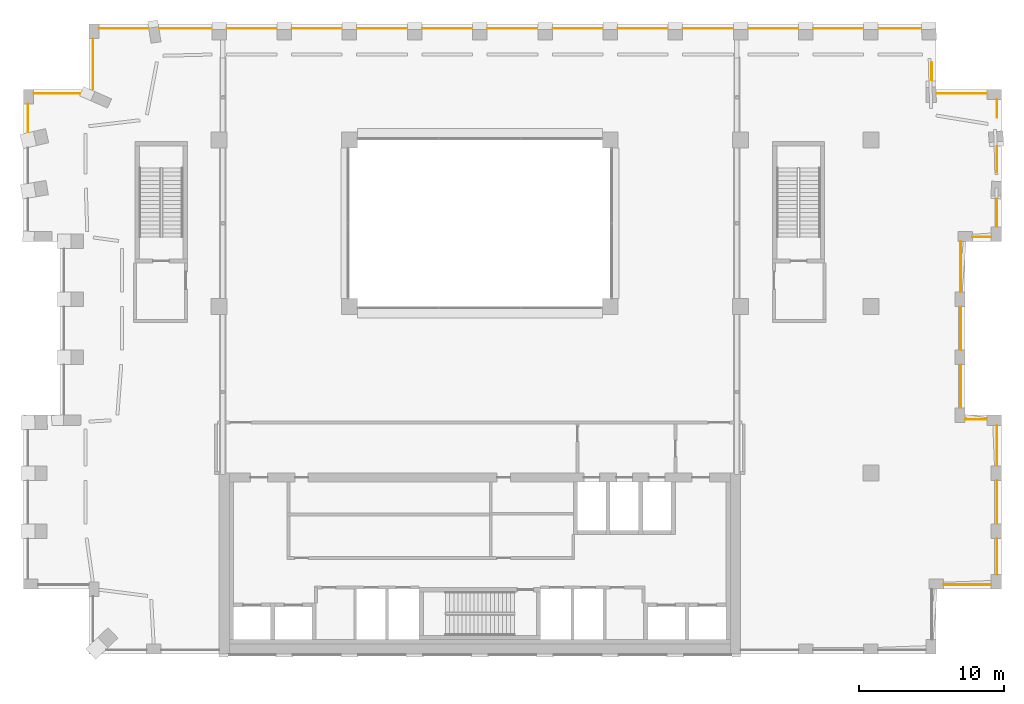
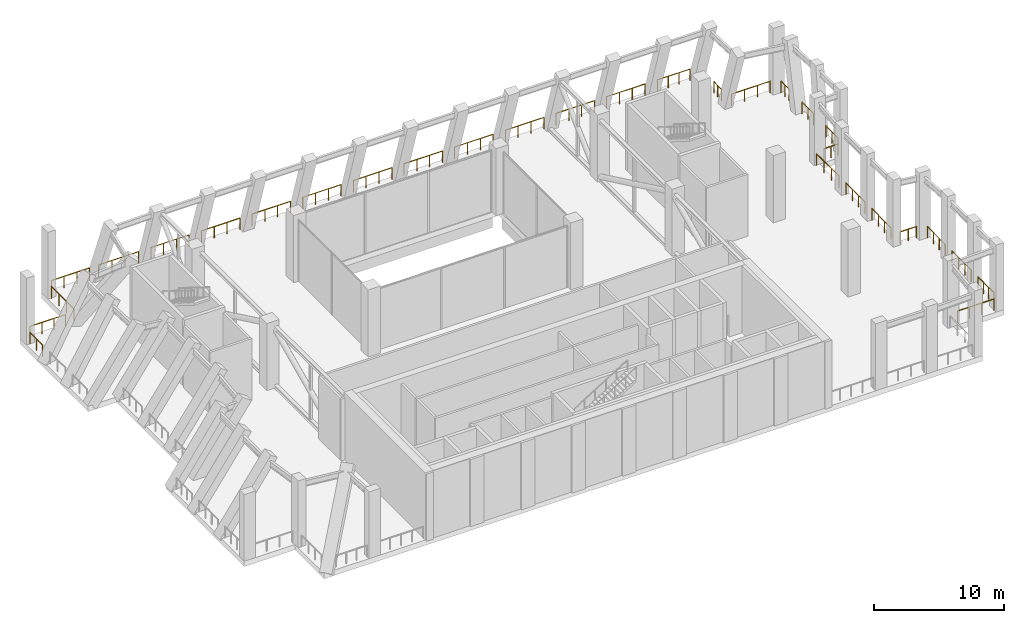
# One storey, part 14 of 14: 30 railings.
"""IFC4 building model written with IfcOpenShell, lengths in metres."""

from ifc_helpers import new_model, si_unit, direction, frame, origin, origin_2d, place, context, subcontext, project, spatial, circle, extrude, material, type_object, element, save


model = new_model("IFC4")

# Units and contexts
model_context = context("Model", 3, precision=1e-05, world=origin(), true_north=direction((0.0, 1.0)))
body_context = subcontext(model_context, "Body", "Model", "MODEL_VIEW")
ifc_project = project(units=[si_unit("LENGTHUNIT", "METRE"), si_unit("AREAUNIT", "SQUARE_METRE"), si_unit("VOLUMEUNIT", "CUBIC_METRE"), si_unit("PLANEANGLEUNIT", "RADIAN"), si_unit("MASSUNIT", "GRAM", prefix="KILO")], contexts=[model_context])

# Site, building, storey
site_placement = place(None, origin())
site = spatial("IfcSite", under=ifc_project, at=site_placement, CompositionType="ELEMENT")
building_placement = place(site_placement, origin())
building = spatial("IfcBuilding", under=site, at=building_placement, Name="Brigalow Station Residences", CompositionType="ELEMENT")
storey_placement = place(building_placement, frame((0.0, 0.0, 185.39990234375)))
storey = spatial("IfcBuildingStorey", under=building, at=storey_placement, Name="L54", CompositionType="ELEMENT", Elevation=185.39990234375)

# Railings
ifc_material = material(Name="Stainless steel balustrade with laminated glass infill", Category="steel")
railing_type = type_object("IfcRailingType", Name="BALCONY GUARD 1100", PredefinedType="GUARDRAIL", material=ifc_material)
railing_1_placement = place(storey_placement, frame((68.02294921875, 4.800048828125, 0.0)))
element("IfcRailing", 1, at=railing_1_placement, inside=storey, type_object=railing_type, Name="L54/edge-guard/W-L54-8-7", PredefinedType="GUARDRAIL", context=body_context, shape_type="SweptSolid", body=[
    extrude(circle(Radius=0.02392578125, at=origin_2d()), frame((0.0, 0.0, 1.076171875), z_axis=(1.0, 0.0, 0.0), x_axis=(0.0, 1.0, 0.0)), (0.0, 0.0, 1.0), 3.254150390625),
    extrude(circle(Radius=0.02099609375, at=origin_2d()), origin(), (0.0, 0.0, 1.0), 1.052001953125),
    extrude(circle(Radius=0.02099609375, at=origin_2d()), frame((1.084716796875, 0.0, 0.0)), (0.0, 0.0, 1.0), 1.052001953125),
    extrude(circle(Radius=0.02099609375, at=origin_2d()), frame((2.16943359375, 0.0, 0.0)), (0.0, 0.0, 1.0), 1.052001953125),
    extrude(circle(Radius=0.02099609375, at=origin_2d()), frame((3.254150390625, 0.0, 0.0)), (0.0, 0.0, 1.0), 1.052001953125),
])
railing_2_placement = place(storey_placement, frame((71.699951171875, 5.52294921875, 0.0)))
element("IfcRailing", 2, at=railing_2_placement, inside=storey, type_object=railing_type, Name="L54/edge-guard/W-L54-9-8", PredefinedType="GUARDRAIL", context=body_context, shape_type="SweptSolid", body=[
    extrude(circle(Radius=0.02392578125, at=origin_2d()), frame((0.0, 0.0, 1.076171875), z_axis=(0.0, 1.0, 0.0), x_axis=(-1.0, 0.0, 0.0)), (0.0, 0.0, 1.0), 2.4541015625),
    extrude(circle(Radius=0.02099609375, at=origin_2d()), origin(), (0.0, 0.0, 1.0), 1.052001953125),
    extrude(circle(Radius=0.02099609375, at=origin_2d()), frame((0.0, 0.818115234375, 0.0)), (0.0, 0.0, 1.0), 1.052001953125),
    extrude(circle(Radius=0.02099609375, at=origin_2d()), frame((0.0, 1.635986328125, 0.0)), (0.0, 0.0, 1.0), 1.052001953125),
    extrude(circle(Radius=0.02099609375, at=origin_2d()), frame((0.0, 2.4541015625, 0.0)), (0.0, 0.0, 1.0), 1.052001953125),
])
railing_3_placement = place(storey_placement, frame((71.699951171875, 9.02294921875, 0.0)))
element("IfcRailing", 3, at=railing_3_placement, inside=storey, type_object=railing_type, Name="L54/edge-guard/W-L54-9-9", PredefinedType="GUARDRAIL", context=body_context, shape_type="SweptSolid", body=[
    extrude(circle(Radius=0.02392578125, at=origin_2d()), frame((0.0, 0.0, 1.076171875), z_axis=(0.0, 1.0, 0.0), x_axis=(-1.0, 0.0, 0.0)), (0.0, 0.0, 1.0), 2.9541015625),
    extrude(circle(Radius=0.02099609375, at=origin_2d()), origin(), (0.0, 0.0, 1.0), 1.052001953125),
    extrude(circle(Radius=0.02099609375, at=origin_2d()), frame((0.0, 0.984619140625, 0.0)), (0.0, 0.0, 1.0), 1.052001953125),
    extrude(circle(Radius=0.02099609375, at=origin_2d()), frame((0.0, 1.969482421875, 0.0)), (0.0, 0.0, 1.0), 1.052001953125),
    extrude(circle(Radius=0.02099609375, at=origin_2d()), frame((0.0, 2.9541015625, 0.0)), (0.0, 0.0, 1.0), 1.052001953125),
])
railing_4_placement = place(storey_placement, frame((71.699951171875, 13.02294921875, 0.0)))
element("IfcRailing", 4, at=railing_4_placement, inside=storey, type_object=railing_type, Name="L54/edge-guard/W-L54-9-10", PredefinedType="GUARDRAIL", context=body_context, shape_type="SweptSolid", body=[
    extrude(circle(Radius=0.02392578125, at=origin_2d()), frame((0.0, 0.0, 1.076171875), z_axis=(0.0, 1.0, 0.0), x_axis=(-1.0, 0.0, 0.0)), (0.0, 0.0, 1.0), 2.754150390625),
    extrude(circle(Radius=0.02099609375, at=origin_2d()), origin(), (0.0, 0.0, 1.0), 1.052001953125),
    extrude(circle(Radius=0.02099609375, at=origin_2d()), frame((0.0, 0.91796875, 0.0)), (0.0, 0.0, 1.0), 1.052001953125),
    extrude(circle(Radius=0.02099609375, at=origin_2d()), frame((0.0, 1.836181640625, 0.0)), (0.0, 0.0, 1.0), 1.052001953125),
    extrude(circle(Radius=0.02099609375, at=origin_2d()), frame((0.0, 2.754150390625, 0.0)), (0.0, 0.0, 1.0), 1.052001953125),
])
railing_5_placement = place(storey_placement, frame((70.97705078125, 16.199951171875, 0.0)))
element("IfcRailing", 5, at=railing_5_placement, inside=storey, type_object=railing_type, Name="L54/edge-guard/W-L54-12-11", PredefinedType="GUARDRAIL", context=body_context, shape_type="SweptSolid", body=[
    extrude(circle(Radius=0.02392578125, at=origin_2d()), frame((0.0, 0.0, 1.076171875), z_axis=(-1.0, 0.0, 0.0), x_axis=(0.0, -1.0, 0.0)), (0.0, 0.0, 1.0), 1.4541015625),
    extrude(circle(Radius=0.02099609375, at=origin_2d()), origin(), (0.0, 0.0, 1.0), 1.052001953125),
    extrude(circle(Radius=0.02099609375, at=origin_2d()), frame((-0.72705078125, 0.0, 0.0)), (0.0, 0.0, 1.0), 1.052001953125),
    extrude(circle(Radius=0.02099609375, at=origin_2d()), frame((-1.4541015625, 0.0, 0.0)), (0.0, 0.0, 1.0), 1.052001953125),
])
for number, where, name in (
    (6, (69.199951171875, 17.02294921875, 0.0), "L54/edge-guard/W-L54-13-12"),
    (7, (69.199951171875, 21.02294921875, 0.0), "L54/edge-guard/W-L54-13-13"),
):
    element("IfcRailing", number, at=place(storey_placement, frame(where)), inside=storey, type_object=railing_type, Name=name, PredefinedType="GUARDRAIL", context=body_context, shape_type="SweptSolid", body=[
        extrude(circle(Radius=0.02392578125, at=origin_2d()), frame((0.0, 0.0, 1.076171875), z_axis=(0.0, 1.0, 0.0), x_axis=(-1.0, 0.0, 0.0)), (0.0, 0.0, 1.0), 2.9541015625),
        extrude(circle(Radius=0.02099609375, at=origin_2d()), origin(), (0.0, 0.0, 1.0), 1.052001953125),
        extrude(circle(Radius=0.02099609375, at=origin_2d()), frame((0.0, 0.984619140625, 0.0)), (0.0, 0.0, 1.0), 1.052001953125),
        extrude(circle(Radius=0.02099609375, at=origin_2d()), frame((0.0, 1.969482421875, 0.0)), (0.0, 0.0, 1.0), 1.052001953125),
        extrude(circle(Radius=0.02099609375, at=origin_2d()), frame((0.0, 2.9541015625, 0.0)), (0.0, 0.0, 1.0), 1.052001953125),
    ])
railing_6_placement = place(storey_placement, frame((69.199951171875, 25.02294921875, 0.0)))
element("IfcRailing", 8, at=railing_6_placement, inside=storey, type_object=railing_type, Name="L54/edge-guard/W-L54-13-14", PredefinedType="GUARDRAIL", context=body_context, shape_type="SweptSolid", body=[
    extrude(circle(Radius=0.02392578125, at=origin_2d()), frame((0.0, 0.0, 1.076171875), z_axis=(0.0, 1.0, 0.0), x_axis=(-1.0, 0.0, 0.0)), (0.0, 0.0, 1.0), 3.4541015625),
    extrude(circle(Radius=0.02099609375, at=origin_2d()), origin(), (0.0, 0.0, 1.0), 1.052001953125),
    extrude(circle(Radius=0.02099609375, at=origin_2d()), frame((0.0, 1.1513671875, 0.0)), (0.0, 0.0, 1.0), 1.052001953125),
    extrude(circle(Radius=0.02099609375, at=origin_2d()), frame((0.0, 2.302734375, 0.0)), (0.0, 0.0, 1.0), 1.052001953125),
    extrude(circle(Radius=0.02099609375, at=origin_2d()), frame((0.0, 3.4541015625, 0.0)), (0.0, 0.0, 1.0), 1.052001953125),
])
railing_7_placement = place(storey_placement, frame((70.02294921875, 28.800048828125, 0.0)))
element("IfcRailing", 9, at=railing_7_placement, inside=storey, type_object=railing_type, Name="L54/edge-guard/W-L54-16-15", PredefinedType="GUARDRAIL", context=body_context, shape_type="SweptSolid", body=[
    extrude(circle(Radius=0.02392578125, at=origin_2d()), frame((0.0, 0.0, 1.076171875), z_axis=(1.0, 0.0, 0.0), x_axis=(0.0, 1.0, 0.0)), (0.0, 0.0, 1.0), 1.254150390625),
    extrude(circle(Radius=0.02099609375, at=origin_2d()), origin(), (0.0, 0.0, 1.0), 1.052001953125),
    extrude(circle(Radius=0.02099609375, at=origin_2d()), frame((0.626953125, 0.0, 0.0)), (0.0, 0.0, 1.0), 1.052001953125),
    extrude(circle(Radius=0.02099609375, at=origin_2d()), frame((1.254150390625, 0.0, 0.0)), (0.0, 0.0, 1.0), 1.052001953125),
])
railing_8_placement = place(storey_placement, frame((71.699951171875, 29.52294921875, 0.0)))
element("IfcRailing", 10, at=railing_8_placement, inside=storey, type_object=railing_type, Name="L54/edge-guard/W-L54-17-16", PredefinedType="GUARDRAIL", context=body_context, shape_type="SweptSolid", body=[
    extrude(circle(Radius=0.02392578125, at=origin_2d()), frame((0.0, 0.0, 1.076171875), z_axis=(0.0, 1.0, 0.0), x_axis=(-1.0, 0.0, 0.0)), (0.0, 0.0, 1.0), 1.88330078125),
    extrude(circle(Radius=0.02099609375, at=origin_2d()), origin(), (0.0, 0.0, 1.0), 1.052001953125),
    extrude(circle(Radius=0.02099609375, at=origin_2d()), frame((0.0, 0.941650390625, 0.0)), (0.0, 0.0, 1.0), 1.052001953125),
    extrude(circle(Radius=0.02099609375, at=origin_2d()), frame((0.0, 1.88330078125, 0.0)), (0.0, 0.0, 1.0), 1.052001953125),
])
railing_9_placement = place(storey_placement, frame((71.699951171875, 33.281494140625, 0.0)))
element("IfcRailing", 11, at=railing_9_placement, inside=storey, type_object=railing_type, Name="L54/edge-guard/W-L54-17-17", PredefinedType="GUARDRAIL", context=body_context, shape_type="SweptSolid", body=[
    extrude(circle(Radius=0.02392578125, at=origin_2d()), frame((0.0, 0.0, 1.076171875), z_axis=(0.0, 1.0, 0.0), x_axis=(-1.0, 0.0, 0.0)), (0.0, 0.0, 1.0), 1.7529296875),
    extrude(circle(Radius=0.02099609375, at=origin_2d()), origin(), (0.0, 0.0, 1.0), 1.052001953125),
    extrude(circle(Radius=0.02099609375, at=origin_2d()), frame((0.0, 0.87646484375, 0.0)), (0.0, 0.0, 1.0), 1.052001953125),
    extrude(circle(Radius=0.02099609375, at=origin_2d()), frame((0.0, 1.7529296875, 0.0)), (0.0, 0.0, 1.0), 1.052001953125),
])
railing_10_placement = place(storey_placement, frame((71.699951171875, 37.063720703125, 0.0)))
element("IfcRailing", 12, at=railing_10_placement, inside=storey, type_object=railing_type, Name="L54/edge-guard/W-L54-17-18", PredefinedType="GUARDRAIL", context=body_context, shape_type="SweptSolid", body=[
    extrude(circle(Radius=0.02392578125, at=origin_2d()), frame((0.0, 0.0, 1.076171875), z_axis=(0.0, 1.0, 0.0), x_axis=(-1.0, 0.0, 0.0)), (0.0, 0.0, 1.0), 1.21337890625),
    extrude(circle(Radius=0.02099609375, at=origin_2d()), origin(), (0.0, 0.0, 1.0), 1.052001953125),
    extrude(circle(Radius=0.02099609375, at=origin_2d()), frame((0.0, 0.606689453125, 0.0)), (0.0, 0.0, 1.0), 1.052001953125),
    extrude(circle(Radius=0.02099609375, at=origin_2d()), frame((0.0, 1.21337890625, 0.0)), (0.0, 0.0, 1.0), 1.052001953125),
])
railing_11_placement = place(storey_placement, frame((70.97705078125, 38.699951171875, 0.0)))
element("IfcRailing", 13, at=railing_11_placement, inside=storey, type_object=railing_type, Name="L54/edge-guard/W-L54-20-19", PredefinedType="GUARDRAIL", context=body_context, shape_type="SweptSolid", body=[
    extrude(circle(Radius=0.02392578125, at=origin_2d()), frame((0.0, 0.0, 1.076171875), z_axis=(-1.0, 0.0, 0.0), x_axis=(0.0, -1.0, 0.0)), (0.0, 0.0, 1.0), 3.43017578125),
    extrude(circle(Radius=0.02099609375, at=origin_2d()), origin(), (0.0, 0.0, 1.0), 1.052001953125),
    extrude(circle(Radius=0.02099609375, at=origin_2d()), frame((-1.143310546875, 0.0, 0.0)), (0.0, 0.0, 1.0), 1.052001953125),
    extrude(circle(Radius=0.02099609375, at=origin_2d()), frame((-2.286865234375, 0.0, 0.0)), (0.0, 0.0, 1.0), 1.052001953125),
    extrude(circle(Radius=0.02099609375, at=origin_2d()), frame((-3.43017578125, 0.0, 0.0)), (0.0, 0.0, 1.0), 1.052001953125),
])
railing_12_placement = place(storey_placement, frame((67.199951171875, 39.63037109375, 0.0)))
element("IfcRailing", 14, at=railing_12_placement, inside=storey, type_object=railing_type, Name="L54/edge-guard/W-L54-21-20", PredefinedType="GUARDRAIL", context=body_context, shape_type="SweptSolid", body=[
    extrude(circle(Radius=0.02392578125, at=origin_2d()), frame((0.0, 0.0, 1.076171875), z_axis=(0.0, 1.0, 0.0), x_axis=(-1.0, 0.0, 0.0)), (0.0, 0.0, 1.0), 1.204833984375),
    extrude(circle(Radius=0.02099609375, at=origin_2d()), origin(), (0.0, 0.0, 1.0), 1.052001953125),
    extrude(circle(Radius=0.02099609375, at=origin_2d()), frame((0.0, 0.6025390625, 0.0)), (0.0, 0.0, 1.0), 1.052001953125),
    extrude(circle(Radius=0.02099609375, at=origin_2d()), frame((0.0, 1.204833984375, 0.0)), (0.0, 0.0, 1.0), 1.052001953125),
])
railing_13_placement = place(storey_placement, frame((66.45556640625, 43.199951171875, 0.0)))
element("IfcRailing", 15, at=railing_13_placement, inside=storey, type_object=railing_type, Name="L54/edge-guard/W-L54-22-21", PredefinedType="GUARDRAIL", context=body_context, shape_type="SweptSolid", body=[
    extrude(circle(Radius=0.02392578125, at=origin_2d()), frame((0.0, 0.0, 1.076171875), z_axis=(-1.0, 0.0, 0.0), x_axis=(0.0, -1.0, 0.0)), (0.0, 0.0, 1.0), 2.91259765625),
    extrude(circle(Radius=0.02099609375, at=origin_2d()), origin(), (0.0, 0.0, 1.0), 1.052001953125),
    extrude(circle(Radius=0.02099609375, at=origin_2d()), frame((-0.970947265625, 0.0, 0.0)), (0.0, 0.0, 1.0), 1.052001953125),
    extrude(circle(Radius=0.02099609375, at=origin_2d()), frame((-1.941650390625, 0.0, 0.0)), (0.0, 0.0, 1.0), 1.052001953125),
    extrude(circle(Radius=0.02099609375, at=origin_2d()), frame((-2.91259765625, 0.0, 0.0)), (0.0, 0.0, 1.0), 1.052001953125),
])
for number, where, name in (
    (16, (62.45703125, 43.199951171875, 0.0), "L54/edge-guard/W-L54-22-22"),
    (17, (57.95703125, 43.199951171875, 0.0), "L54/edge-guard/W-L54-22-23"),
    (18, (53.45703125, 43.199951171875, 0.0), "L54/edge-guard/W-L54-22-24"),
    (19, (48.95703125, 43.199951171875, 0.0), "L54/edge-guard/W-L54-22-25"),
    (20, (44.45703125, 43.199951171875, 0.0), "L54/edge-guard/W-L54-22-26"),
    (21, (39.95703125, 43.199951171875, 0.0), "L54/edge-guard/W-L54-22-27"),
    (22, (35.45703125, 43.199951171875, 0.0), "L54/edge-guard/W-L54-22-28"),
    (23, (30.95703125, 43.199951171875, 0.0), "L54/edge-guard/W-L54-22-29"),
    (24, (26.45703125, 43.199951171875, 0.0), "L54/edge-guard/W-L54-22-30"),
    (25, (21.95703125, 43.199951171875, 0.0), "L54/edge-guard/W-L54-22-31"),
):
    element("IfcRailing", number, at=place(storey_placement, frame(where)), inside=storey, type_object=railing_type, Name=name, PredefinedType="GUARDRAIL", context=body_context, shape_type="SweptSolid", body=[
        extrude(circle(Radius=0.02392578125, at=origin_2d()), frame((0.0, 0.0, 1.076171875), z_axis=(-1.0, 0.0, 0.0), x_axis=(0.0, -1.0, 0.0)), (0.0, 0.0, 1.0), 3.4140625),
        extrude(circle(Radius=0.02099609375, at=origin_2d()), origin(), (0.0, 0.0, 1.0), 1.052001953125),
        extrude(circle(Radius=0.02099609375, at=origin_2d()), frame((-1.137939453125, 0.0, 0.0)), (0.0, 0.0, 1.0), 1.052001953125),
        extrude(circle(Radius=0.02099609375, at=origin_2d()), frame((-2.276123046875, 0.0, 0.0)), (0.0, 0.0, 1.0), 1.052001953125),
        extrude(circle(Radius=0.02099609375, at=origin_2d()), frame((-3.4140625, 0.0, 0.0)), (0.0, 0.0, 1.0), 1.052001953125),
    ])
railing_14_placement = place(storey_placement, frame((17.45703125, 43.199951171875, 0.0)))
element("IfcRailing", 26, at=railing_14_placement, inside=storey, type_object=railing_type, Name="L54/edge-guard/W-L54-22-32", PredefinedType="GUARDRAIL", context=body_context, shape_type="SweptSolid", body=[
    extrude(circle(Radius=0.02392578125, at=origin_2d()), frame((0.0, 0.0, 1.076171875), z_axis=(-1.0, 0.0, 0.0), x_axis=(0.0, -1.0, 0.0)), (0.0, 0.0, 1.0), 3.5673828125),
    extrude(circle(Radius=0.02099609375, at=origin_2d()), origin(), (0.0, 0.0, 1.0), 1.052001953125),
    extrude(circle(Radius=0.02099609375, at=origin_2d()), frame((-1.189208984375, 0.0, 0.0)), (0.0, 0.0, 1.0), 1.052001953125),
    extrude(circle(Radius=0.02099609375, at=origin_2d()), frame((-2.378173828125, 0.0, 0.0)), (0.0, 0.0, 1.0), 1.052001953125),
    extrude(circle(Radius=0.02099609375, at=origin_2d()), frame((-3.5673828125, 0.0, 0.0)), (0.0, 0.0, 1.0), 1.052001953125),
])
railing_15_placement = place(storey_placement, frame((13.094970703125, 43.199951171875, 0.0)))
element("IfcRailing", 27, at=railing_15_placement, inside=storey, type_object=railing_type, Name="L54/edge-guard/W-L54-22-33", PredefinedType="GUARDRAIL", context=body_context, shape_type="SweptSolid", body=[
    extrude(circle(Radius=0.02392578125, at=origin_2d()), frame((0.0, 0.0, 1.076171875), z_axis=(-1.0, 0.0, 0.0), x_axis=(0.0, -1.0, 0.0)), (0.0, 0.0, 1.0), 3.3720703125),
    extrude(circle(Radius=0.02099609375, at=origin_2d()), origin(), (0.0, 0.0, 1.0), 1.052001953125),
    extrude(circle(Radius=0.02099609375, at=origin_2d()), frame((-1.1240234375, 0.0, 0.0)), (0.0, 0.0, 1.0), 1.052001953125),
    extrude(circle(Radius=0.02099609375, at=origin_2d()), frame((-2.248046875, 0.0, 0.0)), (0.0, 0.0, 1.0), 1.052001953125),
    extrude(circle(Radius=0.02099609375, at=origin_2d()), frame((-3.3720703125, 0.0, 0.0)), (0.0, 0.0, 1.0), 1.052001953125),
])
railing_16_placement = place(storey_placement, frame((9.300048828125, 42.47705078125, 0.0)))
element("IfcRailing", 28, at=railing_16_placement, inside=storey, type_object=railing_type, Name="L54/edge-guard/W-L54-35-34", PredefinedType="GUARDRAIL", context=body_context, shape_type="SweptSolid", body=[
    extrude(circle(Radius=0.02392578125, at=origin_2d()), frame((0.0, 0.0, 1.076171875), z_axis=(0.0, -1.0, 0.0), x_axis=(1.0, 0.0, 0.0)), (0.0, 0.0, 1.0), 3.4541015625),
    extrude(circle(Radius=0.02099609375, at=origin_2d()), origin(), (0.0, 0.0, 1.0), 1.052001953125),
    extrude(circle(Radius=0.02099609375, at=origin_2d()), frame((0.0, -1.1513671875, 0.0)), (0.0, 0.0, 1.0), 1.052001953125),
    extrude(circle(Radius=0.02099609375, at=origin_2d()), frame((0.0, -2.302734375, 0.0)), (0.0, 0.0, 1.0), 1.052001953125),
    extrude(circle(Radius=0.02099609375, at=origin_2d()), frame((0.0, -3.4541015625, 0.0)), (0.0, 0.0, 1.0), 1.052001953125),
])
railing_17_placement = place(storey_placement, frame((8.38427734375, 38.699951171875, 0.0)))
element("IfcRailing", 29, at=railing_17_placement, inside=storey, type_object=railing_type, Name="L54/edge-guard/W-L54-36-35", PredefinedType="GUARDRAIL", context=body_context, shape_type="SweptSolid", body=[
    extrude(circle(Radius=0.02392578125, at=origin_2d()), frame((0.0, 0.0, 1.076171875), z_axis=(-1.0, 0.0, 0.0), x_axis=(0.0, -1.0, 0.0)), (0.0, 0.0, 1.0), 3.161376953125),
    extrude(circle(Radius=0.02099609375, at=origin_2d()), origin(), (0.0, 0.0, 1.0), 1.052001953125),
    extrude(circle(Radius=0.02099609375, at=origin_2d()), frame((-1.0537109375, 0.0, 0.0)), (0.0, 0.0, 1.0), 1.052001953125),
    extrude(circle(Radius=0.02099609375, at=origin_2d()), frame((-2.107666015625, 0.0, 0.0)), (0.0, 0.0, 1.0), 1.052001953125),
    extrude(circle(Radius=0.02099609375, at=origin_2d()), frame((-3.161376953125, 0.0, 0.0)), (0.0, 0.0, 1.0), 1.052001953125),
])
railing_18_placement = place(storey_placement, frame((4.800048828125, 37.97705078125, 0.0)))
element("IfcRailing", 30, at=railing_18_placement, inside=storey, type_object=railing_type, Name="L54/edge-guard/W-L54-37-36", PredefinedType="GUARDRAIL", context=body_context, shape_type="SweptSolid", body=[
    extrude(circle(Radius=0.02392578125, at=origin_2d()), frame((0.0, 0.0, 1.076171875), z_axis=(0.0, -1.0, 0.0), x_axis=(1.0, 0.0, 0.0)), (0.0, 0.0, 1.0), 1.931640625),
    extrude(circle(Radius=0.02099609375, at=origin_2d()), origin(), (0.0, 0.0, 1.0), 1.052001953125),
    extrude(circle(Radius=0.02099609375, at=origin_2d()), frame((0.0, -0.9658203125, 0.0)), (0.0, 0.0, 1.0), 1.052001953125),
    extrude(circle(Radius=0.02099609375, at=origin_2d()), frame((0.0, -1.931640625, 0.0)), (0.0, 0.0, 1.0), 1.052001953125),
])

save(model, "model.ifc")
